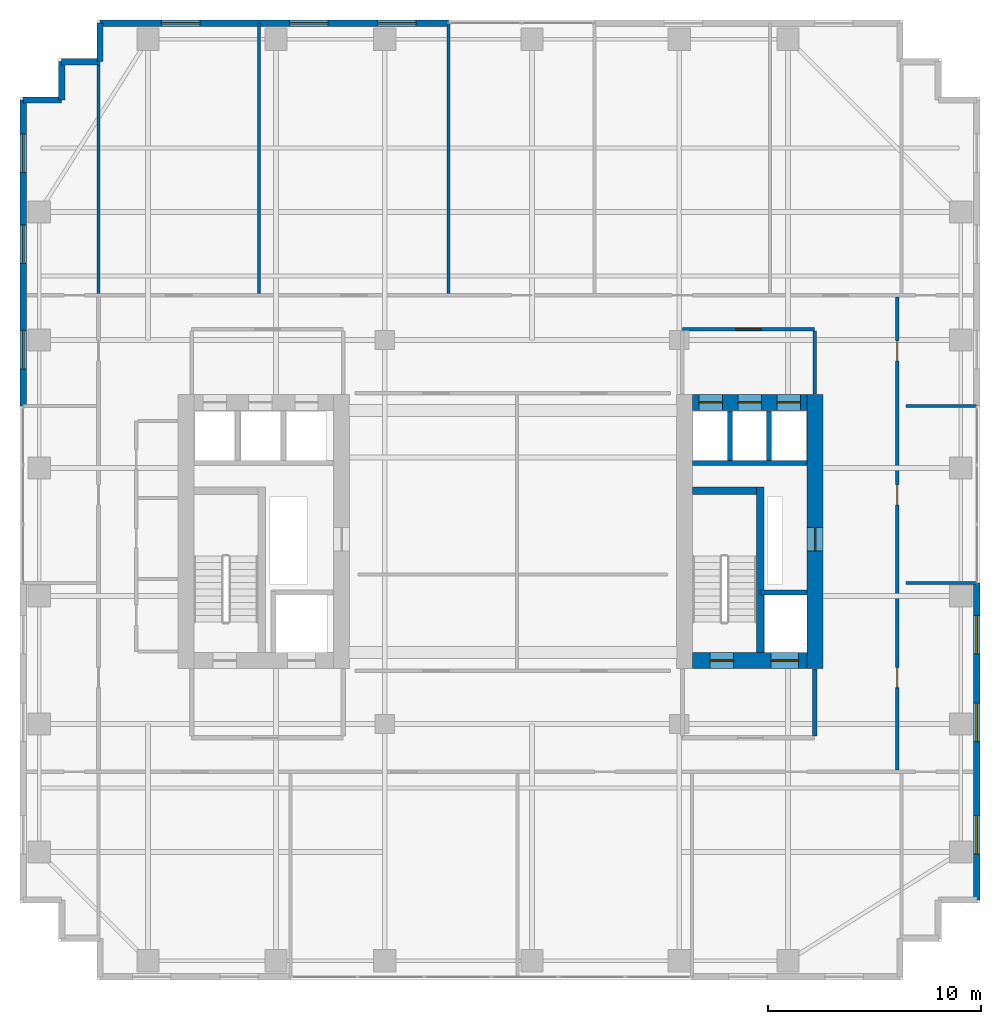
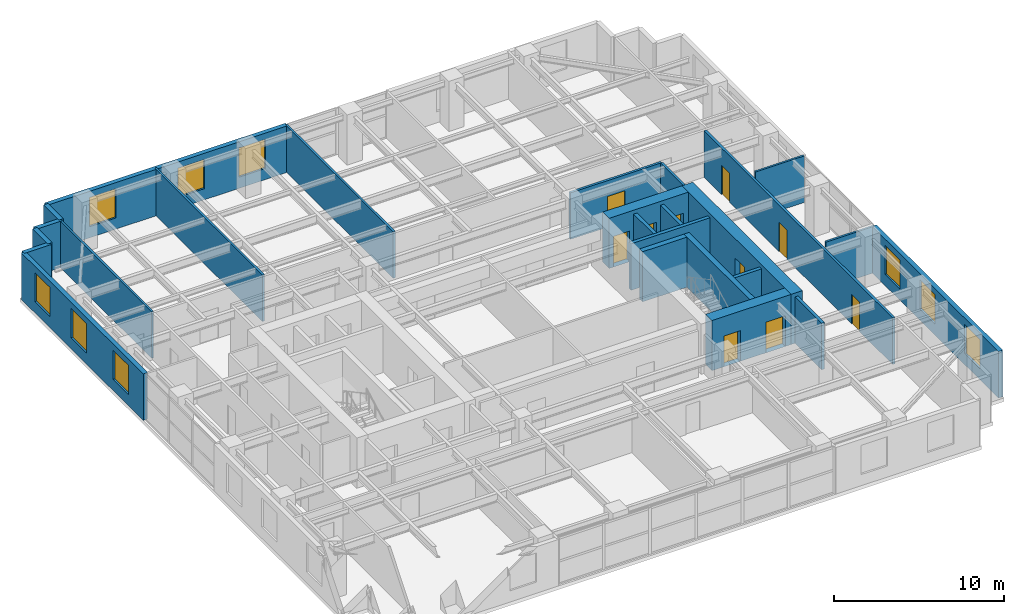
# One storey, part 16 of 18: 25 walls, 10 doors, 9 windows, 19 openings.
"""IFC4 building model written with IfcOpenShell, lengths in metres."""

import ifcopenshell
import ifcopenshell.guid

model = None  # the IFC model being written
_history = None  # IfcOwnerHistory: only IFC2X3 demands one
_inside = {}  # id of a spatial element -> (the spatial element, [elements in it])
_under = {}  # id of a project, library or spatial element -> (it, [spatial elements below it])
_declared = {}  # id of a project -> (the project, [libraries it declares])
_typed = {}  # id of a type object -> (the type object, [elements of that type])
_made_of = {}  # id of a material, layer set ... -> (it, [elements and type objects made of it])


def new_model(schema):
    """Start an empty IFC model of exactly this schema.

    Asked for "IFC4X3", IfcOpenShell would pick the latest addendum, in which some entities
    have other attributes; the version numbers below select the first issue.
    IFC2X3 requires an IfcOwnerHistory on every rooted entity: one is made here for all.
    """
    global model, _history
    if schema == "IFC4X3":
        model = ifcopenshell.file(schema_version=(4, 3, 0, 0))
    else:
        model = ifcopenshell.file(schema=schema)
    _inside.clear()
    _under.clear()
    _declared.clear()
    _typed.clear()
    _made_of.clear()
    _history = None
    if model.schema == "IFC2X3":
        org = make("IfcOrganization", Name="unknown")
        user = make(
            "IfcPersonAndOrganization",
            ThePerson=make("IfcPerson", FamilyName="unknown"),
            TheOrganization=org,
        )
        app = make(
            "IfcApplication",
            ApplicationDeveloper=org,
            Version="unknown",
            ApplicationFullName="unknown",
            ApplicationIdentifier="unknown",
        )
        _history = make(
            "IfcOwnerHistory",
            OwningUser=user,
            OwningApplication=app,
            ChangeAction="ADDED",
            CreationDate=0,
        )
    return model


def make(cls, **values):
    """One entity of the class cls with the attributes given. An attribute that is None is left unset."""
    return model.create_entity(
        cls, **{name: value for name, value in values.items() if value is not None}
    )


def rooted(cls, **values):
    """An entity with a GlobalId (a new one), such as an element, a storey or a relation."""
    return make(cls, GlobalId=ifcopenshell.guid.new(), OwnerHistory=_history, **values)


def si_unit(unit_type, name, prefix=None):
    """IfcSIUnit, for example si_unit("LENGTHUNIT", "METRE", prefix="MILLI")."""
    return make("IfcSIUnit", UnitType=unit_type, Prefix=prefix, Name=name)


def assignment(units):
    """IfcUnitAssignment: the units of a project."""
    return None if units is None else make("IfcUnitAssignment", Units=units)


def point(xyz):
    """IfcCartesianPoint."""
    return None if xyz is None else make("IfcCartesianPoint", Coordinates=xyz)


def direction(xyz):
    """IfcDirection."""
    return None if xyz is None else make("IfcDirection", DirectionRatios=xyz)


def frame(location, z_axis=None, x_axis=None):
    """IfcAxis2Placement3D, a coordinate frame: its origin and axes. An axis left out is left unset."""
    return make(
        "IfcAxis2Placement3D",
        Location=point(location),
        Axis=direction(z_axis),
        RefDirection=direction(x_axis),
    )


def frame_2d(location, x_axis=None):
    """IfcAxis2Placement2D, a coordinate frame in the plane: its origin and x axis."""
    return make(
        "IfcAxis2Placement2D", Location=point(location), RefDirection=direction(x_axis)
    )


def origin():
    """The frame at (0, 0, 0) with its axes left unset."""
    return frame((0.0, 0.0, 0.0))


def place(relative_to, where):
    """IfcLocalPlacement: puts the frame where relative to a parent placement (None: the world)."""
    return make(
        "IfcLocalPlacement", PlacementRelTo=relative_to, RelativePlacement=where
    )


def context(
    kind, dimensions, precision=None, world=None, true_north=None, identifier=None
):
    """IfcGeometricRepresentationContext, for example the 3D "Model" context."""
    return make(
        "IfcGeometricRepresentationContext",
        ContextIdentifier=identifier,
        ContextType=kind,
        CoordinateSpaceDimension=dimensions,
        Precision=precision,
        WorldCoordinateSystem=world,
        TrueNorth=true_north,
    )


def subcontext(parent, identifier, kind, view, scale=None):
    """IfcGeometricRepresentationSubContext, for example "Body" below "Model"."""
    return make(
        "IfcGeometricRepresentationSubContext",
        ContextIdentifier=identifier,
        ContextType=kind,
        ParentContext=parent,
        TargetScale=scale,
        TargetView=view,
    )


def project(units=None, contexts=None):
    """IfcProject with its units and contexts."""
    return rooted(
        "IfcProject",
        Name="project",
        RepresentationContexts=contexts,
        UnitsInContext=assignment(units),
    )


def spatial(cls, under=None, at=None, **own):
    """A site, building, storey or space (cls), placed at a placement, below another one or the project."""
    s = rooted(cls, ObjectPlacement=at, **own)
    if under is not None:
        _under.setdefault(under.id(), (under, []))[1].append(s)
    return s


def profile(cls, at=None, kind="AREA", **sizes):
    """A parametric profile (cls). Its sizes go by their IFC names, for example OverallWidth=200.0."""
    return make(cls, ProfileType=kind, Position=at, **sizes)


def rectangle(**sizes):
    """IfcRectangleProfileDef."""
    return profile("IfcRectangleProfileDef", **sizes)


def extrude(swept, where, along, depth):
    """IfcExtrudedAreaSolid: the profile swept, set in the frame where, extruded along a direction by depth."""
    return make(
        "IfcExtrudedAreaSolid",
        SweptArea=swept,
        Position=where,
        ExtrudedDirection=direction(along),
        Depth=depth,
    )


def shape(context_of_items, identifier, shape_type, items):
    """IfcShapeRepresentation: the items that make up one representation, for example the "Body"."""
    return make(
        "IfcShapeRepresentation",
        ContextOfItems=context_of_items,
        RepresentationIdentifier=identifier,
        RepresentationType=shape_type,
        Items=items,
    )


def source(mapping_origin, context_of_items, identifier, shape_type, items):
    """IfcRepresentationMap: a shape defined once, which mapped items show again and again."""
    return make(
        "IfcRepresentationMap",
        MappingOrigin=mapping_origin,
        MappedRepresentation=shape(context_of_items, identifier, shape_type, items),
    )


def transform(
    local_origin,
    x_axis=None,
    y_axis=None,
    z_axis=None,
    scale=None,
    scale2=None,
    scale3=None,
    uniform=True,
):
    """IfcCartesianTransformationOperator3D, or its non-uniform kind. x_axis, y_axis, z_axis: its Axis1, 2, 3."""
    if uniform:
        return make(
            "IfcCartesianTransformationOperator3D",
            Axis1=direction(x_axis),
            Axis2=direction(y_axis),
            LocalOrigin=point(local_origin),
            Scale=scale,
            Axis3=direction(z_axis),
        )
    return make(
        "IfcCartesianTransformationOperator3DnonUniform",
        Axis1=direction(x_axis),
        Axis2=direction(y_axis),
        LocalOrigin=point(local_origin),
        Scale=scale,
        Axis3=direction(z_axis),
        Scale2=scale2,
        Scale3=scale3,
    )


def mapped(mapping_source, mapping_target):
    """IfcMappedItem: shows the shape of a source again, moved by a transform."""
    return make(
        "IfcMappedItem", MappingSource=mapping_source, MappingTarget=mapping_target
    )


def material(Name=None, Category=None):
    """IfcMaterial."""
    return make("IfcMaterial", Name=Name, Category=Category)


def layer(
    of_material, thickness, ventilated=None, Name=None, Category=None, Priority=None
):
    """IfcMaterialLayer: one layer of a wall or slab, of a material (None: an air gap)."""
    return make(
        "IfcMaterialLayer",
        Material=of_material,
        LayerThickness=thickness,
        IsVentilated=ventilated,
        Name=Name,
        Category=Category,
        Priority=Priority,
    )


def layer_set(layers, Name=None):
    """IfcMaterialLayerSet."""
    return make("IfcMaterialLayerSet", MaterialLayers=layers, LayerSetName=Name)


def made_of(thing, what):
    """Note that an element or type object is made of a material, layer set ...; save() writes the relation."""
    if what is not None:
        _made_of.setdefault(what.id(), (what, []))[1].append(thing)
    return thing


def type_object(cls, material=None, **own):
    """A type object (cls), such as IfcWallType, which elements share."""
    return made_of(rooted(cls, **own), material)


def element(
    cls,
    number,
    at=None,
    inside=None,
    cuts=None,
    type_object=None,
    material=None,
    context=None,
    identifier="Body",
    shape_type=None,
    held_by="IfcProductDefinitionShape",
    body=None,
    shapes=None,
    **own,
):
    """One element of the class cls, such as IfcWall. Its Tag is "e" and its number.

    at: its placement. inside: the storey or other place that contains it. cuts: it is an
    opening in that element (IfcRelVoidsElement). A single representation is given by context,
    identifier, shape_type and body (its items); several are given by shapes. held_by: the class
    of the entity that holds the representations. save() writes the other relations.
    """
    e = rooted(cls, Tag="e%d" % number, ObjectPlacement=at, **own)
    if body is not None:
        shapes = [shape(context, identifier, shape_type, body)]
    if shapes is not None:
        e.Representation = make(held_by, Representations=shapes)
    if inside is not None:
        _inside.setdefault(inside.id(), (inside, []))[1].append(e)
    if cuts is not None:
        rooted(
            "IfcRelVoidsElement", RelatingBuildingElement=cuts, RelatedOpeningElement=e
        )
    if type_object is not None:
        _typed.setdefault(type_object.id(), (type_object, []))[1].append(e)
    return made_of(e, material)


def fill(opening, filler):
    """IfcRelFillsElement: the door or window that sits in an opening."""
    return rooted(
        "IfcRelFillsElement",
        RelatingOpeningElement=opening,
        RelatedBuildingElement=filler,
    )


def aggregate(whole, parts):
    """IfcRelAggregates: a whole, such as a stair, and the parts it consists of."""
    return rooted("IfcRelAggregates", RelatingObject=whole, RelatedObjects=parts)


def save(model, path):
    """Write the relations noted so far, then the file.

    IfcRelAggregates (storeys below a building ...), IfcRelContainedInSpatialStructure (elements
    in a storey), IfcRelDefinesByType, IfcRelAssociatesMaterial and IfcRelDeclares: one each for
    every whole, place, type object, material and project.
    """
    for whole, parts in _under.values():
        aggregate(whole, parts)
    for where, things in _inside.values():
        rooted(
            "IfcRelContainedInSpatialStructure",
            RelatedElements=things,
            RelatingStructure=where,
        )
    for kind, things in _typed.values():
        rooted("IfcRelDefinesByType", RelatedObjects=things, RelatingType=kind)
    for what, things in _made_of.values():
        rooted("IfcRelAssociatesMaterial", RelatedObjects=things, RelatingMaterial=what)
    for by, libraries in _declared.values():
        rooted("IfcRelDeclares", RelatingContext=by, RelatedDefinitions=libraries)
    model.write(path)


model = new_model("IFC4")

# Units and contexts
model_context = context("Model", 3, precision=1e-05, world=origin(), true_north=direction((0.0, 1.0)))
body_context = subcontext(model_context, "Body", "Model", "MODEL_VIEW")
ifc_project = project(units=[si_unit("LENGTHUNIT", "METRE"), si_unit("AREAUNIT", "SQUARE_METRE"), si_unit("VOLUMEUNIT", "CUBIC_METRE"), si_unit("PLANEANGLEUNIT", "RADIAN"), si_unit("MASSUNIT", "GRAM", prefix="KILO")], contexts=[model_context])

# Site, building, storey
site_placement = place(None, origin())
site = spatial("IfcSite", under=ifc_project, at=site_placement, CompositionType="ELEMENT")
building_placement = place(site_placement, origin())
building = spatial("IfcBuilding", under=site, at=building_placement, Name="Khoralis Quay Care Tower", CompositionType="ELEMENT")
storey_placement = place(building_placement, frame((0.0, 0.0, 130.5)))
storey = spatial("IfcBuildingStorey", under=building, at=storey_placement, Name="L34", CompositionType="ELEMENT", Elevation=130.5)

# Wall
ifc_material_1 = material(Name="Gypsum plasterboard on acoustic metal stud")
ifc_layer_1 = layer(ifc_material_1, 0.199951171875)
ifc_layer_set_1 = layer_set([ifc_layer_1], Name="Gypsum plasterboard on acoustic metal stud")
wall_type_1 = type_object("IfcWallType", Name="WL-COMP-200", PredefinedType="PARTITIONING", material=ifc_layer_set_1)
wall_1_placement = place(storey_placement, frame((37.25, 11.445068359375, 0.0), z_axis=(0.0, 0.0, 1.0), x_axis=(0.0, 1.0, 0.0)))
element("IfcWall", 1, at=wall_1_placement, inside=storey, type_object=wall_type_1, Name="L34 East Firefighting Lobby East Wall", PredefinedType="PARTITIONING", context=body_context, shape_type="SweptSolid", body=[
    extrude(rectangle(XDim=3.135009765625, YDim=0.199951171875, at=frame_2d((1.5673828125, 0.0))), origin(), (0.0, 0.0, 1.0), 3.340087890625),
])

# Wall, opening, door
ifc_material_2 = material(Name="Concrete C80/95", Category="concrete")
ifc_layer_2 = layer(ifc_material_2, 0.75)
ifc_layer_set_2 = layer_set([ifc_layer_2], Name="Concrete C80/95")
wall_type_2 = type_object("IfcWallType", Name="WL-CORE-750", PredefinedType="SHEAR", material=ifc_layer_set_2)
wall_2_placement = place(storey_placement, frame((37.27490234375, 14.60009765625, 0.0), z_axis=(0.0, 0.0, 1.0), x_axis=(0.0, 1.0, 0.0)))
wall_2 = element("IfcWall", 2, at=wall_2_placement, inside=storey, type_object=wall_type_2, Name="L34 ECORE East Shear Wall", PredefinedType="SHEAR", context=body_context, shape_type="SweptSolid", body=[
    extrude(rectangle(XDim=12.849853515625, YDim=0.75, at=frame_2d((6.4248046875, 0.0))), origin(), (0.0, 0.0, 1.0), 3.60009765625),
])
opening_1_placement = place(wall_2_placement, frame((5.5, 0.0, 0.0)))
opening_1 = element("IfcOpeningElement", 3, at=opening_1_placement, cuts=wall_2, Name="Opening SD1", PredefinedType="OPENING", context=body_context, shape_type="SweptSolid", body=[
    extrude(rectangle(XDim=1.10009765625, YDim=2.199951171875, at=frame_2d((0.550048828125, 1.10009765625))), frame((0.0, 0.385009765625, 0.0), z_axis=(0.0, -1.0, 0.0), x_axis=(1.0, 0.0, 0.0)), (0.0, 0.0, 1.0), 0.77001953125),
])
ifc_material_3 = material(Name="Fire-rated painted steel", Category="steel")
door_type_1 = type_object("IfcDoorType", Name="DR-STAIR-1100X2200", OperationType="NOTDEFINED", PredefinedType="DOOR", material=ifc_material_3)
shared_shape_1 = source(origin(), body_context, "Body", "SweptSolid", [
    extrude(rectangle(XDim=1.10009765625, YDim=2.199951171875, at=frame_2d((0.550048828125, 1.10009765625))), frame((0.0, 0.02490234375, 0.0), z_axis=(0.0, -1.0, 0.0), x_axis=(1.0, 0.0, 0.0)), (0.0, 0.0, 1.0), 0.050048828125),
])
door_1_placement = place(opening_1_placement, frame((1.10009765625, 0.0, 0.0), z_axis=(0.0, 0.0, 1.0), x_axis=(-1.0, 0.0, 0.0)))
door_1 = element("IfcDoor", 4, at=door_1_placement, inside=storey, type_object=door_type_1, Name="L34 East MEP Riser Door", OperationType="SINGLE_SWING_LEFT", OverallHeight=2.199951171875, OverallWidth=1.10009765625, PredefinedType="DOOR", context=body_context, shape_type="MappedRepresentation", body=[
    mapped(shared_shape_1, transform((0.0, 0.0, 0.0), scale=1.0)),
])
fill(opening_1, door_1)

# Wall, openings, doors
wall_3_placement = place(storey_placement, frame((31.52001953125, 14.97509765625, 0.0), z_axis=(0.0, 0.0, 1.0), x_axis=(1.0, 0.0, 0.0)))
wall_3 = element("IfcWall", 5, at=wall_3_placement, inside=storey, type_object=wall_type_2, Name="L34 ECORE South Shear Wall", PredefinedType="SHEAR", context=body_context, shape_type="SweptSolid", body=[
    extrude(rectangle(XDim=5.3798828125, YDim=0.75, at=frame_2d((2.68994140625, 0.0))), origin(), (0.0, 0.0, 1.0), 3.60009765625),
])
opening_2_placement = place(wall_3_placement, frame((0.830078125, 0.0, 0.0)))
opening_2 = element("IfcOpeningElement", 6, at=opening_2_placement, cuts=wall_3, Name="Opening SD1", PredefinedType="OPENING", context=body_context, shape_type="SweptSolid", body=[
    extrude(rectangle(XDim=1.10009765625, YDim=2.199951171875, at=frame_2d((0.550048828125, 1.10009765625))), frame((0.0, 0.385009765625, 0.0), z_axis=(0.0, -1.0, 0.0), x_axis=(1.0, 0.0, 0.0)), (0.0, 0.0, 1.0), 0.77001953125),
])
opening_3_placement = place(wall_3_placement, frame((3.679931640625, 0.0, 0.0)))
opening_3 = element("IfcOpeningElement", 7, at=opening_3_placement, cuts=wall_3, Name="Opening LD2", PredefinedType="OPENING", context=body_context, shape_type="SweptSolid", body=[
    extrude(rectangle(XDim=1.300048828125, YDim=2.199951171875, at=frame_2d((0.64990234375, 1.10009765625))), frame((0.0, 0.385009765625, 0.0), z_axis=(0.0, -1.0, 0.0), x_axis=(1.0, 0.0, 0.0)), (0.0, 0.0, 1.0), 0.77001953125),
])
door_2_placement = place(opening_2_placement, origin())
door_2 = element("IfcDoor", 8, at=door_2_placement, inside=storey, type_object=door_type_1, Name="L34 Stair ST-T2 Fire Door", OperationType="SINGLE_SWING_LEFT", OverallHeight=2.199951171875, OverallWidth=1.10009765625, PredefinedType="DOOR", context=body_context, shape_type="MappedRepresentation", body=[
    mapped(shared_shape_1, transform((0.0, 0.0, 0.0), scale=1.0)),
])
fill(opening_2, door_2)
ifc_material_4 = material(Name="Brushed stainless steel", Category="steel")
door_type_2 = type_object("IfcDoorType", Name="DR-LIFT-1300X2200", OperationType="SLIDING_TO_RIGHT", PredefinedType="DOOR", material=ifc_material_4)
shared_shape_2 = source(origin(), body_context, "Body", "SweptSolid", [
    extrude(rectangle(XDim=1.300048828125, YDim=2.199951171875, at=frame_2d((0.64990234375, 1.10009765625))), frame((0.0, 0.02490234375, 0.0), z_axis=(0.0, -1.0, 0.0), x_axis=(1.0, 0.0, 0.0)), (0.0, 0.0, 1.0), 0.050048828125),
])
door_3_placement = place(opening_3_placement, origin())
door_3 = element("IfcDoor", 9, at=door_3_placement, inside=storey, type_object=door_type_2, Name="L34 Firefighting Lift FFL-2 Landing Door", OperationType="SLIDING_TO_RIGHT", OverallHeight=2.199951171875, OverallWidth=1.300048828125, PredefinedType="DOOR", context=body_context, shape_type="MappedRepresentation", body=[
    mapped(shared_shape_2, transform((0.0, 0.0, 0.0), scale=1.0)),
])
fill(opening_3, door_3)

wall_4_placement = place(storey_placement, frame((31.52001953125, 27.074951171875, 0.0), z_axis=(0.0, 0.0, 1.0), x_axis=(1.0, 0.0, 0.0)))
wall_4 = element("IfcWall", 10, at=wall_4_placement, inside=storey, type_object=wall_type_2, Name="L34 ECORE North Shear Wall", PredefinedType="SHEAR", context=body_context, shape_type="SweptSolid", body=[
    extrude(rectangle(XDim=5.3798828125, YDim=0.75, at=frame_2d((2.68994140625, 0.0))), origin(), (0.0, 0.0, 1.0), 3.60009765625),
])
opening_4_placement = place(wall_4_placement, frame((0.300048828125, 0.0, 0.0)))
opening_4 = element("IfcOpeningElement", 11, at=opening_4_placement, cuts=wall_4, Name="Opening LD1", PredefinedType="OPENING", context=body_context, shape_type="SweptSolid", body=[
    extrude(rectangle(XDim=1.10009765625, YDim=2.199951171875, at=frame_2d((0.550048828125, 1.10009765625))), frame((0.0, 0.385009765625, 0.0), z_axis=(0.0, -1.0, 0.0), x_axis=(1.0, 0.0, 0.0)), (0.0, 0.0, 1.0), 0.77001953125),
])
opening_5_placement = place(wall_4_placement, frame((2.1298828125, 0.0, 0.0)))
opening_5 = element("IfcOpeningElement", 12, at=opening_5_placement, cuts=wall_4, Name="Opening LD1", PredefinedType="OPENING", context=body_context, shape_type="SweptSolid", body=[
    extrude(rectangle(XDim=1.10009765625, YDim=2.199951171875, at=frame_2d((0.550048828125, 1.10009765625))), frame((0.0, 0.385009765625, 0.0), z_axis=(0.0, -1.0, 0.0), x_axis=(1.0, 0.0, 0.0)), (0.0, 0.0, 1.0), 0.77001953125),
])
opening_6_placement = place(wall_4_placement, frame((3.9599609375, 0.0, 0.0)))
opening_6 = element("IfcOpeningElement", 13, at=opening_6_placement, cuts=wall_4, Name="Opening LD1", PredefinedType="OPENING", context=body_context, shape_type="SweptSolid", body=[
    extrude(rectangle(XDim=1.10009765625, YDim=2.199951171875, at=frame_2d((0.550048828125, 1.10009765625))), frame((0.0, 0.385009765625, 0.0), z_axis=(0.0, -1.0, 0.0), x_axis=(1.0, 0.0, 0.0)), (0.0, 0.0, 1.0), 0.77001953125),
])
door_type_3 = type_object("IfcDoorType", Name="DR-LIFT-1100X2200", OperationType="SLIDING_TO_LEFT", PredefinedType="DOOR", material=ifc_material_4)
shared_shape_3 = source(origin(), body_context, "Body", "SweptSolid", [
    extrude(rectangle(XDim=1.10009765625, YDim=2.199951171875, at=frame_2d((0.550048828125, 1.10009765625))), frame((0.0, 0.02490234375, 0.0), z_axis=(0.0, -1.0, 0.0), x_axis=(1.0, 0.0, 0.0)), (0.0, 0.0, 1.0), 0.050048828125),
])
door_4_placement = place(opening_4_placement, origin())
door_4 = element("IfcDoor", 14, at=door_4_placement, inside=storey, type_object=door_type_3, Name="L34 Lift PLL2 Landing Door", OperationType="SLIDING_TO_LEFT", OverallHeight=2.199951171875, OverallWidth=1.10009765625, PredefinedType="DOOR", context=body_context, shape_type="MappedRepresentation", body=[
    mapped(shared_shape_3, transform((0.0, 0.0, 0.0), scale=1.0)),
])
fill(opening_4, door_4)
door_5_placement = place(opening_5_placement, origin())
door_5 = element("IfcDoor", 15, at=door_5_placement, inside=storey, type_object=door_type_3, Name="L34 Lift PLM2 Landing Door", OperationType="SLIDING_TO_LEFT", OverallHeight=2.199951171875, OverallWidth=1.10009765625, PredefinedType="DOOR", context=body_context, shape_type="MappedRepresentation", body=[
    mapped(shared_shape_3, transform((0.0, 0.0, 0.0), scale=1.0)),
])
fill(opening_5, door_5)
door_6_placement = place(opening_6_placement, origin())
door_6 = element("IfcDoor", 16, at=door_6_placement, inside=storey, type_object=door_type_3, Name="L34 Lift PLH2 Landing Door", OperationType="SLIDING_TO_LEFT", OverallHeight=2.199951171875, OverallWidth=1.10009765625, PredefinedType="DOOR", context=body_context, shape_type="MappedRepresentation", body=[
    mapped(shared_shape_3, transform((0.0, 0.0, 0.0), scale=1.0)),
])
fill(opening_6, door_6)

# Wall, opening, door
ifc_layer_3 = layer(ifc_material_1, 0.1650390625)
ifc_layer_set_3 = layer_set([ifc_layer_3], Name="Gypsum plasterboard on acoustic metal stud")
wall_type_3 = type_object("IfcWallType", Name="WL-CORR-165", PredefinedType="PARTITIONING", material=ifc_layer_set_3)
wall_5_placement = place(storey_placement, frame((31.050048828125, 30.5, 0.0), z_axis=(0.0, 0.0, 1.0), x_axis=(1.0, 0.0, 0.0)))
wall_5 = element("IfcWall", 17, at=wall_5_placement, inside=storey, type_object=wall_type_3, Name="L34 East Lift Lobby North Wall", PredefinedType="PARTITIONING", context=body_context, shape_type="SweptSolid", body=[
    extrude(rectangle(XDim=6.199951171875, YDim=0.1650390625, at=frame_2d((3.10009765625, 0.0))), origin(), (0.0, 0.0, 1.0), 3.340087890625),
])
opening_7_placement = place(wall_5_placement, frame((2.5, 0.0, 0.0)))
opening_7 = element("IfcOpeningElement", 18, at=opening_7_placement, cuts=wall_5, Name="Opening FD1", PredefinedType="OPENING", context=body_context, shape_type="SweptSolid", body=[
    extrude(rectangle(XDim=1.199951171875, YDim=2.199951171875, at=frame_2d((0.60009765625, 1.10009765625))), frame((0.0, 0.092529296875, 0.0), z_axis=(0.0, -1.0, 0.0), x_axis=(1.0, 0.0, 0.0)), (0.0, 0.0, 1.0), 0.18505859375),
])
door_type_4 = type_object("IfcDoorType", Name="DR-FFL-1200X2200", OperationType="NOTDEFINED", PredefinedType="DOOR", material=ifc_material_3)
shared_shape_4 = source(origin(), body_context, "Body", "SweptSolid", [
    extrude(rectangle(XDim=1.199951171875, YDim=2.199951171875, at=frame_2d((0.60009765625, 1.10009765625))), frame((0.0, 0.02490234375, 0.0), z_axis=(0.0, -1.0, 0.0), x_axis=(1.0, 0.0, 0.0)), (0.0, 0.0, 1.0), 0.050048828125),
])
door_7_placement = place(opening_7_placement, origin())
door_7 = element("IfcDoor", 19, at=door_7_placement, inside=storey, type_object=door_type_4, Name="L34 East Lift Lobby Double Door", OperationType="DOUBLE_DOOR_SINGLE_SWING", OverallHeight=2.199951171875, OverallWidth=1.199951171875, PredefinedType="DOOR", context=body_context, shape_type="MappedRepresentation", body=[
    mapped(shared_shape_4, transform((0.0, 0.0, 0.0), scale=1.0)),
])
fill(opening_7, door_7)

# Wall
wall_6_placement = place(storey_placement, frame((37.25, 27.469970703125, 0.0), z_axis=(0.0, 0.0, 1.0), x_axis=(0.0, 1.0, 0.0)))
element("IfcWall", 20, at=wall_6_placement, inside=storey, type_object=wall_type_3, Name="L34 East Lift Lobby East Wall", PredefinedType="PARTITIONING", context=body_context, shape_type="SweptSolid", body=[
    extrude(rectangle(XDim=2.95263671875, YDim=0.1650390625, at=frame_2d((1.476318359375, 0.0))), origin(), (0.0, 0.0, 1.0), 3.340087890625),
])

# Wall, openings, doors
wall_7_placement = place(storey_placement, frame((41.1201171875, 9.83740234375, 0.0), z_axis=(0.0, 0.0, 1.0), x_axis=(0.0, 1.0, 0.0)))
wall_7 = element("IfcWall", 21, at=wall_7_placement, inside=storey, type_object=wall_type_3, Name="L34 East Loop Corridor Wall", PredefinedType="PARTITIONING", context=body_context, shape_type="SweptSolid", body=[
    extrude(rectangle(XDim=22.18505859375, YDim=0.1650390625, at=frame_2d((11.092529296875, 0.0))), origin(), (0.0, 0.0, 1.0), 3.340087890625),
])
opening_8_placement = place(wall_7_placement, frame((3.867431640625, 0.0, 0.0)))
opening_8 = element("IfcOpeningElement", 22, at=opening_8_placement, cuts=wall_7, Name="Opening ID1", PredefinedType="OPENING", context=body_context, shape_type="SweptSolid", body=[
    extrude(rectangle(XDim=0.949951171875, YDim=2.10009765625, at=frame_2d((0.47509765625, 1.050048828125))), frame((0.0, 0.092529296875, 0.0), z_axis=(0.0, -1.0, 0.0), x_axis=(1.0, 0.0, 0.0)), (0.0, 0.0, 1.0), 0.18505859375),
])
opening_9_placement = place(wall_7_placement, frame((12.4375, 0.0, 0.0)))
opening_9 = element("IfcOpeningElement", 23, at=opening_9_placement, cuts=wall_7, Name="Opening ID1", PredefinedType="OPENING", context=body_context, shape_type="SweptSolid", body=[
    extrude(rectangle(XDim=0.949951171875, YDim=2.10009765625, at=frame_2d((0.47509765625, 1.050048828125))), frame((0.0, 0.092529296875, 0.0), z_axis=(0.0, -1.0, 0.0), x_axis=(1.0, 0.0, 0.0)), (0.0, 0.0, 1.0), 0.18505859375),
])
opening_10_placement = place(wall_7_placement, frame((19.1875, 0.0, 0.0)))
opening_10 = element("IfcOpeningElement", 24, at=opening_10_placement, cuts=wall_7, Name="Opening ID1", PredefinedType="OPENING", context=body_context, shape_type="SweptSolid", body=[
    extrude(rectangle(XDim=0.949951171875, YDim=2.10009765625, at=frame_2d((0.47509765625, 1.050048828125))), frame((0.0, 0.092529296875, 0.0), z_axis=(0.0, -1.0, 0.0), x_axis=(1.0, 0.0, 0.0)), (0.0, 0.0, 1.0), 0.18505859375),
])
ifc_material_5 = material(Name="Acoustic hardwood timber", Category="wood")
door_type_5 = type_object("IfcDoorType", Name="DR-ROOM-950X2100", OperationType="NOTDEFINED", PredefinedType="DOOR", material=ifc_material_5)
shared_shape_5 = source(origin(), body_context, "Body", "SweptSolid", [
    extrude(rectangle(XDim=0.949951171875, YDim=2.10009765625, at=frame_2d((0.47509765625, 1.050048828125))), frame((0.0, 0.02490234375, 0.0), z_axis=(0.0, -1.0, 0.0), x_axis=(1.0, 0.0, 0.0)), (0.0, 0.0, 1.0), 0.050048828125),
])
door_8_placement = place(opening_8_placement, frame((0.949951171875, 0.0, 0.0), z_axis=(0.0, 0.0, 1.0), x_axis=(-1.0, 0.0, 0.0)))
door_8 = element("IfcDoor", 25, at=door_8_placement, inside=storey, type_object=door_type_5, Name="L34 Therapy Consultation Room Door", OperationType="SINGLE_SWING_LEFT", OverallHeight=2.10009765625, OverallWidth=0.949951171875, PredefinedType="DOOR", context=body_context, shape_type="MappedRepresentation", body=[
    mapped(shared_shape_5, transform((0.0, 0.0, 0.0), scale=1.0)),
])
fill(opening_8, door_8)
door_9_placement = place(opening_9_placement, frame((0.949951171875, 0.0, 0.0), z_axis=(0.0, 0.0, 1.0), x_axis=(-1.0, 0.0, 0.0)))
door_9 = element("IfcDoor", 26, at=door_9_placement, inside=storey, type_object=door_type_5, Name="L34 Assisted Activity Lounge Door", OperationType="SINGLE_SWING_RIGHT", OverallHeight=2.10009765625, OverallWidth=0.949951171875, PredefinedType="DOOR", context=body_context, shape_type="MappedRepresentation", body=[
    mapped(shared_shape_5, transform((0.0, 0.0, 0.0), scale=1.0)),
])
fill(opening_9, door_9)
door_10_placement = place(opening_10_placement, frame((0.949951171875, 0.0, 0.0), z_axis=(0.0, 0.0, 1.0), x_axis=(-1.0, 0.0, 0.0)))
door_10 = element("IfcDoor", 27, at=door_10_placement, inside=storey, type_object=door_type_5, Name="L34 Nurse Charting Office Door", OperationType="SINGLE_SWING_LEFT", OverallHeight=2.10009765625, OverallWidth=0.949951171875, PredefinedType="DOOR", context=body_context, shape_type="MappedRepresentation", body=[
    mapped(shared_shape_5, transform((0.0, 0.0, 0.0), scale=1.0)),
])
fill(opening_10, door_10)

# Wall, openings, windows
ifc_material_6 = material(Name="Precast concrete C45/55", Category="concrete")
ifc_layer_4 = layer(ifc_material_6, 0.300048828125)
ifc_layer_set_4 = layer_set([ifc_layer_4], Name="Precast concrete C45/55")
wall_type_4 = type_object("IfcWallType", Name="WL-EXT-REF-300", PredefinedType="SOLIDWALL", material=ifc_layer_set_4)
wall_8_placement = place(storey_placement, frame((44.85009765625, 3.75, 0.0), z_axis=(0.0, 0.0, 1.0), x_axis=(0.0, 1.0, 0.0)))
wall_8 = element("IfcWall", 28, at=wall_8_placement, inside=storey, type_object=wall_type_4, Name="L34 External Facade Wall WL-EXT-L34-P1-E5A", PredefinedType="SOLIDWALL", context=body_context, shape_type="SweptSolid", body=[
    extrude(rectangle(XDim=14.85009765625, YDim=0.300048828125, at=frame_2d((7.425048828125, 0.0))), origin(), (0.0, 0.0, 1.0), 3.340087890625),
])
opening_11_placement = place(wall_8_placement, frame((2.155029296875, 0.0, 0.800048828125)))
opening_11 = element("IfcOpeningElement", 29, at=opening_11_placement, cuts=wall_8, Name="Opening W2", PredefinedType="OPENING", context=body_context, shape_type="SweptSolid", body=[
    extrude(rectangle(XDim=1.800048828125, YDim=2.10009765625, at=frame_2d((0.89990234375, 1.050048828125))), frame((0.0, 0.16015625, 0.0), z_axis=(0.0, -1.0, 0.0), x_axis=(1.0, 0.0, 0.0)), (0.0, 0.0, 1.0), 0.320068359375),
])
opening_12_placement = place(wall_8_placement, frame((7.425048828125, 0.0, 0.800048828125)))
opening_12 = element("IfcOpeningElement", 30, at=opening_12_placement, cuts=wall_8, Name="Opening W2", PredefinedType="OPENING", context=body_context, shape_type="SweptSolid", body=[
    extrude(rectangle(XDim=1.800048828125, YDim=2.10009765625, at=frame_2d((0.89990234375, 1.050048828125))), frame((0.0, 0.16015625, 0.0), z_axis=(0.0, -1.0, 0.0), x_axis=(1.0, 0.0, 0.0)), (0.0, 0.0, 1.0), 0.320068359375),
])
opening_13_placement = place(wall_8_placement, frame((11.534912109375, 0.0, 0.800048828125)))
opening_13 = element("IfcOpeningElement", 31, at=opening_13_placement, cuts=wall_8, Name="Opening W2", PredefinedType="OPENING", context=body_context, shape_type="SweptSolid", body=[
    extrude(rectangle(XDim=1.800048828125, YDim=2.10009765625, at=frame_2d((0.89990234375, 1.050048828125))), frame((0.0, 0.16015625, 0.0), z_axis=(0.0, -1.0, 0.0), x_axis=(1.0, 0.0, 0.0)), (0.0, 0.0, 1.0), 0.320068359375),
])
ifc_material_7 = material(Name="Low-E solar-control double glazing", Category="glass")
window_type = type_object("IfcWindowType", Name="WN-POD-1800X2100", PartitioningType="SINGLE_PANEL", PredefinedType="WINDOW", material=ifc_material_7)
shared_shape_6 = source(origin(), body_context, "Body", "SweptSolid", [
    extrude(rectangle(XDim=1.800048828125, YDim=2.10009765625, at=frame_2d((0.89990234375, 1.050048828125))), frame((0.0, 0.030029296875, 0.0), z_axis=(0.0, -1.0, 0.0), x_axis=(1.0, 0.0, 0.0)), (0.0, 0.0, 1.0), 0.06005859375),
])
window_1_placement = place(opening_11_placement, origin())
window_1 = element("IfcWindow", 32, at=window_1_placement, inside=storey, type_object=window_type, Name="WN-L34-P1-E5A Facade Window 01", OverallHeight=2.10009765625, OverallWidth=1.800048828125, PartitioningType="SINGLE_PANEL", PredefinedType="WINDOW", context=body_context, shape_type="MappedRepresentation", body=[
    mapped(shared_shape_6, transform((0.0, 0.0, 0.0), scale=1.0)),
])
fill(opening_11, window_1)
window_2_placement = place(opening_12_placement, origin())
window_2 = element("IfcWindow", 33, at=window_2_placement, inside=storey, type_object=window_type, Name="WN-L34-P1-E5A Facade Window 02", OverallHeight=2.10009765625, OverallWidth=1.800048828125, PartitioningType="SINGLE_PANEL", PredefinedType="WINDOW", context=body_context, shape_type="MappedRepresentation", body=[
    mapped(shared_shape_6, transform((0.0, 0.0, 0.0), scale=1.0)),
])
fill(opening_12, window_2)
window_3_placement = place(opening_13_placement, origin())
window_3 = element("IfcWindow", 34, at=window_3_placement, inside=storey, type_object=window_type, Name="WN-L34-P1-E5A Facade Window 03", OverallHeight=2.10009765625, OverallWidth=1.800048828125, PartitioningType="SINGLE_PANEL", PredefinedType="WINDOW", context=body_context, shape_type="MappedRepresentation", body=[
    mapped(shared_shape_6, transform((0.0, 0.0, 0.0), scale=1.0)),
])
fill(opening_13, window_3)

wall_9_placement = place(storey_placement, frame((20.090087890625, 44.85009765625, 0.0), z_axis=(0.0, 0.0, 1.0), x_axis=(-1.0, 0.0, 0.0)))
wall_9 = element("IfcWall", 35, at=wall_9_placement, inside=storey, type_object=wall_type_4, Name="L34 External Facade Wall WL-EXT-L34-P1-E10B", PredefinedType="SOLIDWALL", context=body_context, shape_type="SweptSolid", body=[
    extrude(rectangle(XDim=16.340087890625, YDim=0.300048828125, at=frame_2d((8.169921875, 0.0))), origin(), (0.0, 0.0, 1.0), 3.340087890625),
])
opening_14_placement = place(wall_9_placement, frame((1.52490234375, 0.0, 0.800048828125)))
opening_14 = element("IfcOpeningElement", 36, at=opening_14_placement, cuts=wall_9, Name="Opening W2", PredefinedType="OPENING", context=body_context, shape_type="SweptSolid", body=[
    extrude(rectangle(XDim=1.800048828125, YDim=2.10009765625, at=frame_2d((0.89990234375, 1.050048828125))), frame((0.0, 0.16015625, 0.0), z_axis=(0.0, -1.0, 0.0), x_axis=(1.0, 0.0, 0.0)), (0.0, 0.0, 1.0), 0.320068359375),
])
opening_15_placement = place(wall_9_placement, frame((5.655029296875, 0.0, 0.800048828125)))
opening_15 = element("IfcOpeningElement", 37, at=opening_15_placement, cuts=wall_9, Name="Opening W2", PredefinedType="OPENING", context=body_context, shape_type="SweptSolid", body=[
    extrude(rectangle(XDim=1.800048828125, YDim=2.10009765625, at=frame_2d((0.89990234375, 1.050048828125))), frame((0.0, 0.16015625, 0.0), z_axis=(0.0, -1.0, 0.0), x_axis=(1.0, 0.0, 0.0)), (0.0, 0.0, 1.0), 0.320068359375),
])
opening_16_placement = place(wall_9_placement, frame((11.659912109375, 0.0, 0.800048828125)))
opening_16 = element("IfcOpeningElement", 38, at=opening_16_placement, cuts=wall_9, Name="Opening W2", PredefinedType="OPENING", context=body_context, shape_type="SweptSolid", body=[
    extrude(rectangle(XDim=1.800048828125, YDim=2.10009765625, at=frame_2d((0.89990234375, 1.050048828125))), frame((0.0, 0.16015625, 0.0), z_axis=(0.0, -1.0, 0.0), x_axis=(1.0, 0.0, 0.0)), (0.0, 0.0, 1.0), 0.320068359375),
])
window_4_placement = place(opening_14_placement, origin())
window_4 = element("IfcWindow", 39, at=window_4_placement, inside=storey, type_object=window_type, Name="WN-L34-P1-E10B Facade Window 01", OverallHeight=2.10009765625, OverallWidth=1.800048828125, PartitioningType="SINGLE_PANEL", PredefinedType="WINDOW", context=body_context, shape_type="MappedRepresentation", body=[
    mapped(shared_shape_6, transform((0.0, 0.0, 0.0), scale=1.0)),
])
fill(opening_14, window_4)
window_5_placement = place(opening_15_placement, origin())
window_5 = element("IfcWindow", 40, at=window_5_placement, inside=storey, type_object=window_type, Name="WN-L34-P1-E10B Facade Window 02", OverallHeight=2.10009765625, OverallWidth=1.800048828125, PartitioningType="SINGLE_PANEL", PredefinedType="WINDOW", context=body_context, shape_type="MappedRepresentation", body=[
    mapped(shared_shape_6, transform((0.0, 0.0, 0.0), scale=1.0)),
])
fill(opening_15, window_5)
window_6_placement = place(opening_16_placement, origin())
window_6 = element("IfcWindow", 41, at=window_6_placement, inside=storey, type_object=window_type, Name="WN-L34-P1-E10B Facade Window 03", OverallHeight=2.10009765625, OverallWidth=1.800048828125, PartitioningType="SINGLE_PANEL", PredefinedType="WINDOW", context=body_context, shape_type="MappedRepresentation", body=[
    mapped(shared_shape_6, transform((0.0, 0.0, 0.0), scale=1.0)),
])
fill(opening_16, window_6)

# Walls
for number, where, z_axis, x_axis, name in (
    (42, (3.75, 44.85009765625, 0.0), (0.0, 0.0, 1.0), (0.0, -1.0, 0.0), "L34 External Facade Wall WL-EXT-L34-P1-C11"),
    (43, (3.75, 43.050048828125, 0.0), (0.0, 0.0, 1.0), (-1.0, 0.0, 0.0), "L34 External Facade Wall WL-EXT-L34-P1-C12"),
    (44, (1.949951171875, 43.050048828125, 0.0), (0.0, 0.0, 1.0), (0.0, -1.0, 0.0), "L34 External Facade Wall WL-EXT-L34-P1-C13"),
    (45, (1.949951171875, 41.25, 0.0), (0.0, 0.0, 1.0), (-1.0, 0.0, 0.0), "L34 External Facade Wall WL-EXT-L34-P1-C14"),
):
    element("IfcWall", number, at=place(storey_placement, frame(where, z_axis=z_axis, x_axis=x_axis)), inside=storey, type_object=wall_type_4, Name=name, PredefinedType="SOLIDWALL", context=body_context, shape_type="SweptSolid", body=[
        extrude(rectangle(XDim=1.800048828125, YDim=0.300048828125, at=frame_2d((0.89990234375, 0.0))), origin(), (0.0, 0.0, 1.0), 3.340087890625),
    ])

# Wall, openings, windows
wall_10_placement = place(storey_placement, frame((0.14990234375, 41.25, 0.0), z_axis=(0.0, 0.0, 1.0), x_axis=(0.0, -1.0, 0.0)))
wall_10 = element("IfcWall", 46, at=wall_10_placement, inside=storey, type_object=wall_type_4, Name="L34 External Facade Wall WL-EXT-L34-P1-E15A", PredefinedType="SOLIDWALL", context=body_context, shape_type="SweptSolid", body=[
    extrude(rectangle(XDim=14.35009765625, YDim=0.300048828125, at=frame_2d((7.175048828125, 0.0))), origin(), (0.0, 0.0, 1.0), 3.340087890625),
])
opening_17_placement = place(wall_10_placement, frame((1.592529296875, 0.0, 0.800048828125)))
opening_17 = element("IfcOpeningElement", 47, at=opening_17_placement, cuts=wall_10, Name="Opening W2", PredefinedType="OPENING", context=body_context, shape_type="SweptSolid", body=[
    extrude(rectangle(XDim=1.800048828125, YDim=2.10009765625, at=frame_2d((0.89990234375, 1.050048828125))), frame((0.0, 0.16015625, 0.0), z_axis=(0.0, -1.0, 0.0), x_axis=(1.0, 0.0, 0.0)), (0.0, 0.0, 1.0), 0.320068359375),
])
opening_18_placement = place(wall_10_placement, frame((5.857421875, 0.0, 0.800048828125)))
opening_18 = element("IfcOpeningElement", 48, at=opening_18_placement, cuts=wall_10, Name="Opening W2", PredefinedType="OPENING", context=body_context, shape_type="SweptSolid", body=[
    extrude(rectangle(XDim=1.800048828125, YDim=2.10009765625, at=frame_2d((0.89990234375, 1.050048828125))), frame((0.0, 0.16015625, 0.0), z_axis=(0.0, -1.0, 0.0), x_axis=(1.0, 0.0, 0.0)), (0.0, 0.0, 1.0), 0.320068359375),
])
opening_19_placement = place(wall_10_placement, frame((10.800048828125, 0.0, 0.800048828125)))
opening_19 = element("IfcOpeningElement", 49, at=opening_19_placement, cuts=wall_10, Name="Opening W2", PredefinedType="OPENING", context=body_context, shape_type="SweptSolid", body=[
    extrude(rectangle(XDim=1.800048828125, YDim=2.10009765625, at=frame_2d((0.89990234375, 1.050048828125))), frame((0.0, 0.16015625, 0.0), z_axis=(0.0, -1.0, 0.0), x_axis=(1.0, 0.0, 0.0)), (0.0, 0.0, 1.0), 0.320068359375),
])
window_7_placement = place(opening_17_placement, origin())
window_7 = element("IfcWindow", 50, at=window_7_placement, inside=storey, type_object=window_type, Name="WN-L34-P1-E15A Facade Window 01", OverallHeight=2.10009765625, OverallWidth=1.800048828125, PartitioningType="SINGLE_PANEL", PredefinedType="WINDOW", context=body_context, shape_type="MappedRepresentation", body=[
    mapped(shared_shape_6, transform((0.0, 0.0, 0.0), scale=1.0)),
])
fill(opening_17, window_7)
window_8_placement = place(opening_18_placement, origin())
window_8 = element("IfcWindow", 51, at=window_8_placement, inside=storey, type_object=window_type, Name="WN-L34-P1-E15A Facade Window 02", OverallHeight=2.10009765625, OverallWidth=1.800048828125, PartitioningType="SINGLE_PANEL", PredefinedType="WINDOW", context=body_context, shape_type="MappedRepresentation", body=[
    mapped(shared_shape_6, transform((0.0, 0.0, 0.0), scale=1.0)),
])
fill(opening_18, window_8)
window_9_placement = place(opening_19_placement, origin())
window_9 = element("IfcWindow", 52, at=window_9_placement, inside=storey, type_object=window_type, Name="WN-L34-P1-E15A Facade Window 03", OverallHeight=2.10009765625, OverallWidth=1.800048828125, PartitioningType="SINGLE_PANEL", PredefinedType="WINDOW", context=body_context, shape_type="MappedRepresentation", body=[
    mapped(shared_shape_6, transform((0.0, 0.0, 0.0), scale=1.0)),
])
fill(opening_19, window_9)

# Walls
ifc_material_8 = material(Name="Concrete C40/50", Category="concrete")
ifc_layer_5 = layer(ifc_material_8, 0.35009765625)
ifc_layer_set_5 = layer_set([ifc_layer_5], Name="Concrete C40/50")
wall_type_5 = type_object("IfcWallType", Name="WL-SC-CORE-350", PredefinedType="SHEAR", material=ifc_layer_set_5)
wall_11_placement = place(storey_placement, frame((34.695068359375, 15.35009765625, 0.0), z_axis=(0.0, 0.0, 1.0), x_axis=(0.0, 1.0, 0.0)))
element("IfcWall", 53, at=wall_11_placement, inside=storey, type_object=wall_type_5, Name="L34 Stair ST-T2 Shear Baffle Wall East", PredefinedType="SHEAR", context=body_context, shape_type="SweptSolid", body=[
    extrude(rectangle(XDim=7.75, YDim=0.35009765625, at=frame_2d((3.875, 0.0))), origin(), (0.0, 0.0, 1.0), 3.60009765625),
])
wall_12_placement = place(storey_placement, frame((31.52001953125, 22.925048828125, 0.0), z_axis=(0.0, 0.0, 1.0), x_axis=(1.0, 0.0, 0.0)))
element("IfcWall", 54, at=wall_12_placement, inside=storey, type_object=wall_type_5, Name="L34 Stair ST-T2 Shear Baffle Wall North", PredefinedType="SHEAR", context=body_context, shape_type="SweptSolid", body=[
    extrude(rectangle(XDim=3.0, YDim=0.35009765625, at=frame_2d((1.5, 0.0))), origin(), (0.0, 0.0, 1.0), 3.60009765625),
])
ifc_layer_6 = layer(ifc_material_1, 0.239990234375)
ifc_layer_set_6 = layer_set([ifc_layer_6], Name="Gypsum plasterboard on acoustic metal stud")
wall_type_6 = type_object("IfcWallType", Name="WL-SHAFT-240", PredefinedType="PARTITIONING", material=ifc_layer_set_6)
wall_13_placement = place(storey_placement, frame((34.679931640625, 18.169921875, 0.0), z_axis=(0.0, 0.0, 1.0), x_axis=(1.0, 0.0, 0.0)))
element("IfcWall", 55, at=wall_13_placement, inside=storey, type_object=wall_type_6, Name="L34 FFL-2 Shaft Wall North", PredefinedType="PARTITIONING", context=body_context, shape_type="SweptSolid", body=[
    extrude(rectangle(XDim=2.199951171875, YDim=0.239990234375, at=frame_2d((1.10009765625, 0.0))), origin(), (0.0, 0.0, 1.0), 3.340087890625),
])
wall_14_placement = place(storey_placement, frame((31.52001953125, 24.22998046875, 0.0), z_axis=(0.0, 0.0, 1.0), x_axis=(1.0, 0.0, 0.0)))
element("IfcWall", 56, at=wall_14_placement, inside=storey, type_object=wall_type_6, Name="L34 East Passenger Shaft South Wall", PredefinedType="PARTITIONING", context=body_context, shape_type="SweptSolid", body=[
    extrude(rectangle(XDim=5.35986328125, YDim=0.239990234375, at=frame_2d((2.679931640625, 0.0))), origin(), (0.0, 0.0, 1.0), 3.340087890625),
])
for number, where, z_axis, x_axis, name in (
    (57, (33.2900390625, 24.344970703125, 0.0), (0.0, 0.0, 1.0), (0.0, 1.0, 0.0), "L34 East Shaft Divider 1"),
    (58, (35.110107421875, 24.344970703125, 0.0), (0.0, 0.0, 1.0), (0.0, 1.0, 0.0), "L34 East Shaft Divider 2"),
):
    element("IfcWall", number, at=place(storey_placement, frame(where, z_axis=z_axis, x_axis=x_axis)), inside=storey, type_object=wall_type_6, Name=name, PredefinedType="PARTITIONING", context=body_context, shape_type="SweptSolid", body=[
        extrude(rectangle(XDim=2.3349609375, YDim=0.239990234375, at=frame_2d((1.16748046875, 0.0))), origin(), (0.0, 0.0, 1.0), 3.340087890625),
    ])
ifc_layer_7 = layer(ifc_material_1, 0.139892578125)
ifc_layer_set_7 = layer_set([ifc_layer_7], Name="Gypsum plasterboard on acoustic metal stud")
wall_type_7 = type_object("IfcWallType", Name="WL-UNIT-140", PredefinedType="PARTITIONING", material=ifc_layer_set_7)
for number, where, z_axis, x_axis, name in (
    (59, (41.5400390625, 18.60009765625, 0.0), (0.0, 0.0, 1.0), (1.0, 0.0, 0.0), "L34 EE Divider 1"),
    (60, (41.5400390625, 26.89990234375, 0.0), (0.0, 0.0, 1.0), (1.0, 0.0, 0.0), "L34 EE Divider 2"),
):
    element("IfcWall", number, at=place(storey_placement, frame(where, z_axis=z_axis, x_axis=x_axis)), inside=storey, type_object=wall_type_7, Name=name, PredefinedType="PARTITIONING", context=body_context, shape_type="SweptSolid", body=[
        extrude(rectangle(XDim=3.31494140625, YDim=0.139892578125, at=frame_2d((1.657470703125, 0.0))), origin(), (0.0, 0.0, 1.0), 3.340087890625),
    ])
wall_15_placement = place(storey_placement, frame((3.679931640625, 32.177490234375, 0.0), z_axis=(0.0, 0.0, 1.0), x_axis=(0.0, 1.0, 0.0)))
element("IfcWall", 61, at=wall_15_placement, inside=storey, type_object=wall_type_7, Name="L34 NB Demising Wall 0", PredefinedType="PARTITIONING", context=body_context, shape_type="SweptSolid", body=[
    extrude(rectangle(XDim=10.87744140625, YDim=0.139892578125, at=frame_2d((5.438720703125, 0.0))), origin(), (0.0, 0.0, 1.0), 3.340087890625),
])
for number, where, z_axis, x_axis, name in (
    (62, (11.2099609375, 32.177490234375, 0.0), (0.0, 0.0, 1.0), (0.0, 1.0, 0.0), "L34 NB Demising Wall 1"),
    (63, (20.090087890625, 32.177490234375, 0.0), (0.0, 0.0, 1.0), (0.0, 1.0, 0.0), "L34 NB Demising Wall 2"),
):
    element("IfcWall", number, at=place(storey_placement, frame(where, z_axis=z_axis, x_axis=x_axis)), inside=storey, type_object=wall_type_7, Name=name, PredefinedType="PARTITIONING", context=body_context, shape_type="SweptSolid", body=[
        extrude(rectangle(XDim=12.677490234375, YDim=0.139892578125, at=frame_2d((6.3388671875, 0.0))), origin(), (0.0, 0.0, 1.0), 3.340087890625),
    ])

save(model, "model.ifc")
